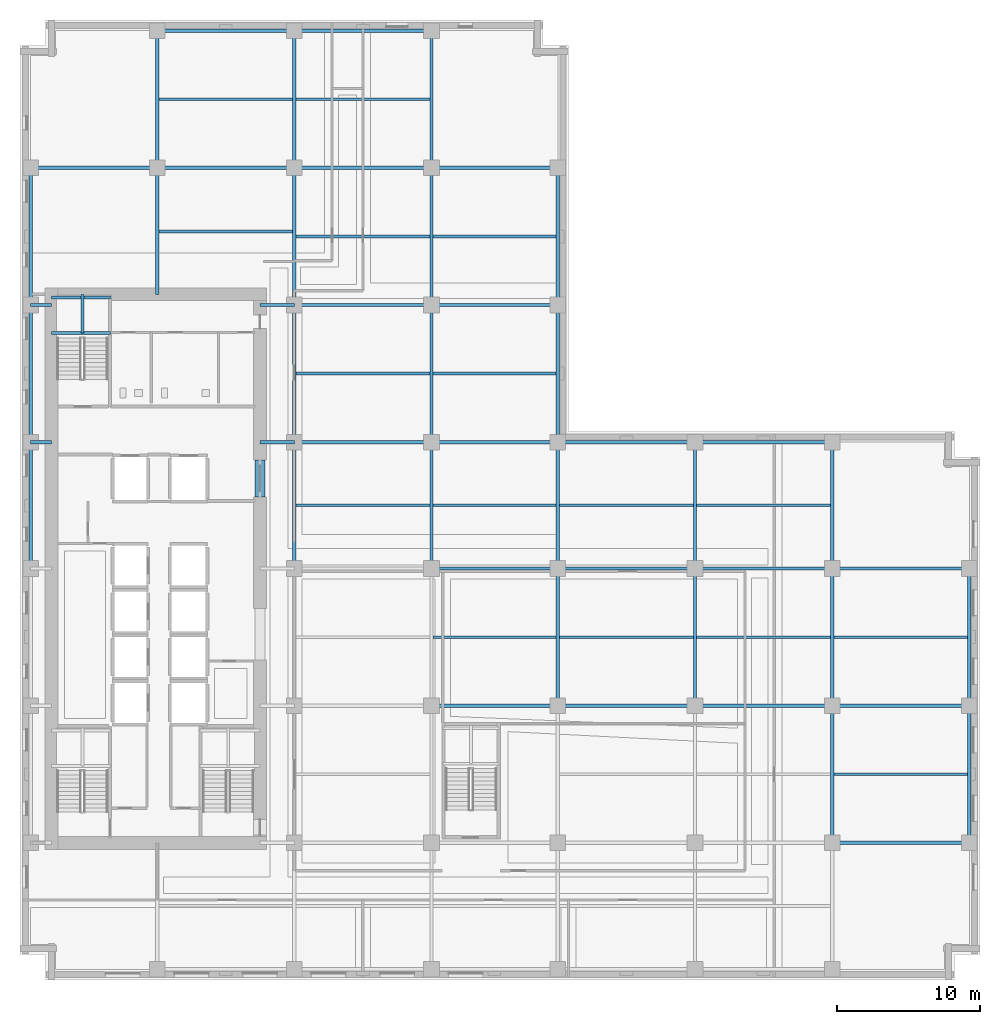
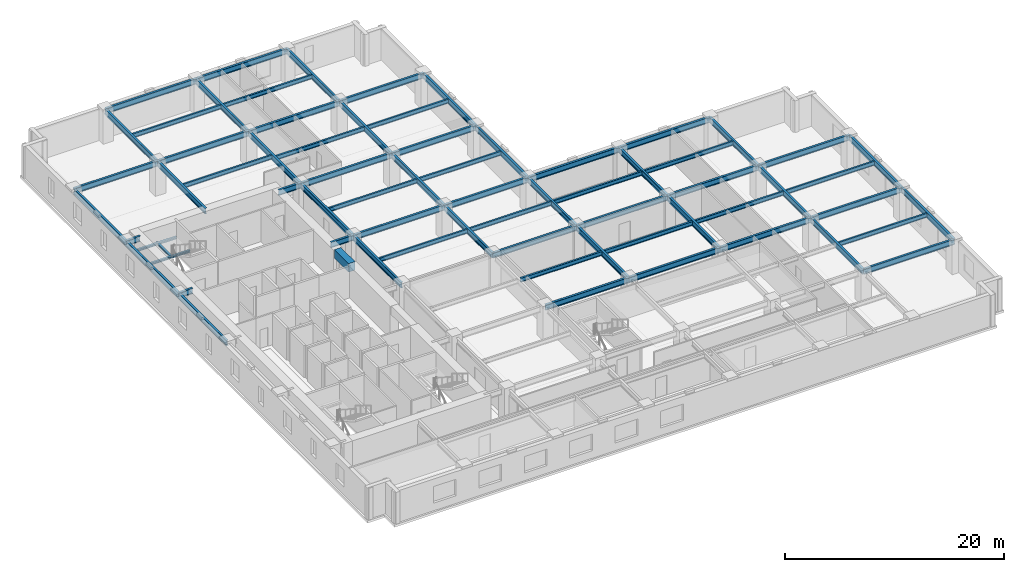
# One storey, part 2 of 13: 69 beams.
"""IFC4 building model written with IfcOpenShell, lengths in metres."""

from ifc_helpers import new_model, si_unit, direction, frame, origin, origin_2d, place, context, subcontext, project, spatial, rectangle, i_section, extrude, material, material_profile, profile_set, type_object, element, save


model = new_model("IFC4")

# Units and contexts
model_context = context("Model", 3, precision=1e-05, world=origin(), true_north=direction((0.0, 1.0)))
body_context = subcontext(model_context, "Body", "Model", "MODEL_VIEW")
ifc_project = project(units=[si_unit("LENGTHUNIT", "METRE"), si_unit("AREAUNIT", "SQUARE_METRE"), si_unit("VOLUMEUNIT", "CUBIC_METRE"), si_unit("PLANEANGLEUNIT", "RADIAN"), si_unit("MASSUNIT", "GRAM", prefix="KILO")], contexts=[model_context])

# Site, building, storey
site_placement = place(None, origin())
site = spatial("IfcSite", under=ifc_project, at=site_placement, CompositionType="ELEMENT")
building_placement = place(site_placement, origin())
building = spatial("IfcBuilding", under=site, at=building_placement, Name="Norrvale University Quadrangle", CompositionType="ELEMENT")
storey_placement = place(building_placement, frame((0.0, 0.0, 66.0)))
storey = spatial("IfcBuildingStorey", under=building, at=storey_placement, Name="L16", CompositionType="ELEMENT", Elevation=66.0)

# Beams
ifc_material_1 = material(Name="Concrete C80/95", Category="concrete")
ifc_material_profile_1 = material_profile(ifc_material_1, rectangle(XDim=0.699951171875, YDim=0.949951171875, at=origin_2d()), Name="Concrete C80/95")
ifc_profile_set_1 = profile_set([ifc_material_profile_1], Name="Concrete C80/95")
beam_type_1 = type_object("IfcBeamType", Name="Beam Core Link 700x950", PredefinedType="LINTEL", material=ifc_profile_set_1)
beam_1_placement = place(storey_placement, frame((16.800048828125, 33.800048828125, 3.06494140625), z_axis=(0.0, 1.0, 0.0), x_axis=(-1.0, 0.0, 0.0)))
element("IfcBeam", 1, at=beam_1_placement, inside=storey, type_object=beam_type_1, Name="Core Coupling Lintel Beam L16-2", PredefinedType="LINTEL", context=body_context, shape_type="SweptSolid", body=[
    extrude(rectangle(XDim=0.699951171875, YDim=0.949951171875, at=origin_2d()), origin(), (0.0, 0.0, 1.0), 2.599853515625),
])
ifc_material_2 = material(Name="Steel 350W", Category="steel")
ifc_material_profile_2 = material_profile(ifc_material_2, i_section(OverallWidth=0.18994140625, OverallDepth=0.45703125, WebThickness=0.009033203125, FlangeThickness=0.014404296875, FilletRadius=0.012939453125, at=origin_2d()), Name="Steel 350W")
ifc_profile_set_2 = profile_set([ifc_material_profile_2], Name="Steel 350W")
beam_type_2 = type_object("IfcBeamType", Name="Beam Floor W460x74", PredefinedType="JOIST", material=ifc_profile_set_2)
beam_2_placement = place(storey_placement, frame((9.715087890625, 61.64990234375, 3.3115234375), z_axis=(1.0, 0.0, 0.0), x_axis=(0.0, 1.0, 0.0)))
element("IfcBeam", 2, at=beam_2_placement, inside=storey, type_object=beam_type_2, Name="Beam Floor W460x74 BM-L16-J079", PredefinedType="JOIST", context=body_context, shape_type="SweptSolid", body=[
    extrude(i_section(OverallWidth=0.18994140625, OverallDepth=0.45703125, WebThickness=0.009033203125, FlangeThickness=0.014404296875, FilletRadius=0.012939453125, at=origin_2d()), origin(), (0.0, 0.0, 1.0), 9.369873046875),
])
for number, where, z_axis, x_axis, name in (
    (3, (19.31494140625, 33.22509765625, 3.3115234375), (1.0, 0.0, 0.0), (0.0, 1.0, 0.0), "Beam Floor W460x74 BM-L16-J083"),
    (4, (19.31494140625, 42.449951171875, 3.3115234375), (1.0, 0.0, 0.0), (0.0, 1.0, 0.0), "Beam Floor W460x74 BM-L16-J084"),
    (5, (19.31494140625, 52.050048828125, 3.3115234375), (1.0, 0.0, 0.0), (0.0, 1.0, 0.0), "Beam Floor W460x74 BM-L16-J085"),
    (6, (19.31494140625, 61.64990234375, 3.3115234375), (1.0, 0.0, 0.0), (0.0, 1.0, 0.0), "Beam Floor W460x74 BM-L16-J086"),
):
    element("IfcBeam", number, at=place(storey_placement, frame(where, z_axis=z_axis, x_axis=x_axis)), inside=storey, type_object=beam_type_2, Name=name, PredefinedType="JOIST", context=body_context, shape_type="SweptSolid", body=[
        extrude(i_section(OverallWidth=0.18994140625, OverallDepth=0.45703125, WebThickness=0.009033203125, FlangeThickness=0.014404296875, FilletRadius=0.012939453125, at=origin_2d()), origin(), (0.0, 0.0, 1.0), 9.3701171875),
    ])
for number, where, z_axis, x_axis, name in (
    (7, (28.9150390625, 24.0, 3.3115234375), (1.0, 0.0, 0.0), (0.0, 1.0, 0.0), "Beam Floor W460x74 BM-L16-J088"),
    (8, (28.9150390625, 33.22509765625, 3.3115234375), (1.0, 0.0, 0.0), (0.0, 1.0, 0.0), "Beam Floor W460x74 BM-L16-J089"),
    (9, (28.9150390625, 42.449951171875, 3.3115234375), (1.0, 0.0, 0.0), (0.0, 1.0, 0.0), "Beam Floor W460x74 BM-L16-J090"),
    (10, (28.9150390625, 52.050048828125, 3.3115234375), (1.0, 0.0, 0.0), (0.0, 1.0, 0.0), "Beam Floor W460x74 BM-L16-J091"),
):
    element("IfcBeam", number, at=place(storey_placement, frame(where, z_axis=z_axis, x_axis=x_axis)), inside=storey, type_object=beam_type_2, Name=name, PredefinedType="JOIST", context=body_context, shape_type="SweptSolid", body=[
        extrude(i_section(OverallWidth=0.18994140625, OverallDepth=0.45703125, WebThickness=0.009033203125, FlangeThickness=0.014404296875, FilletRadius=0.012939453125, at=origin_2d()), origin(), (0.0, 0.0, 1.0), 8.619873046875),
    ])
for number, where, z_axis, x_axis, name in (
    (11, (37.764892578125, 24.0, 3.3115234375), (1.0, 0.0, 0.0), (0.0, 1.0, 0.0), "Beam Floor W460x74 BM-L16-J094"),
    (12, (37.764892578125, 33.22509765625, 3.3115234375), (1.0, 0.0, 0.0), (0.0, 1.0, 0.0), "Beam Floor W460x74 BM-L16-J095"),
    (13, (47.364990234375, 24.0, 3.3115234375), (1.0, 0.0, 0.0), (0.0, 1.0, 0.0), "Beam Floor W460x74 BM-L16-J098"),
    (14, (47.364990234375, 33.22509765625, 3.3115234375), (1.0, 0.0, 0.0), (0.0, 1.0, 0.0), "Beam Floor W460x74 BM-L16-J099"),
):
    element("IfcBeam", number, at=place(storey_placement, frame(where, z_axis=z_axis, x_axis=x_axis)), inside=storey, type_object=beam_type_2, Name=name, PredefinedType="JOIST", context=body_context, shape_type="SweptSolid", body=[
        extrude(i_section(OverallWidth=0.18994140625, OverallDepth=0.45703125, WebThickness=0.009033203125, FlangeThickness=0.014404296875, FilletRadius=0.012939453125, at=origin_2d()), origin(), (0.0, 0.0, 1.0), 9.3701171875),
    ])
for number, where, z_axis, x_axis, name in (
    (15, (56.965087890625, 14.39990234375, 3.3115234375), (1.0, 0.0, 0.0), (0.0, 1.0, 0.0), "Beam Floor W460x74 BM-L16-J100"),
    (16, (56.965087890625, 24.0, 3.3115234375), (1.0, 0.0, 0.0), (0.0, 1.0, 0.0), "Beam Floor W460x74 BM-L16-J101"),
    (17, (9.715087890625, 52.39990234375, 3.3115234375), (1.0, 0.0, 0.0), (0.0, 1.0, 0.0), "Beam Floor W460x74 BM-L16-JCN105"),
):
    element("IfcBeam", number, at=place(storey_placement, frame(where, z_axis=z_axis, x_axis=x_axis)), inside=storey, type_object=beam_type_2, Name=name, PredefinedType="JOIST", context=body_context, shape_type="SweptSolid", body=[
        extrude(i_section(OverallWidth=0.18994140625, OverallDepth=0.45703125, WebThickness=0.009033203125, FlangeThickness=0.014404296875, FilletRadius=0.012939453125, at=origin_2d()), origin(), (0.0, 0.0, 1.0), 9.369873046875),
    ])
ifc_material_profile_3 = material_profile(ifc_material_2, i_section(OverallWidth=0.22998046875, OverallDepth=0.616943359375, WebThickness=0.01318359375, FlangeThickness=0.022216796875, FilletRadius=0.01611328125, at=origin_2d()), Name="Steel 350W")
ifc_profile_set_3 = profile_set([ifc_material_profile_3], Name="Steel 350W")
beam_type_3 = type_object("IfcBeamType", Name="Beam Floor W610x140", PredefinedType="BEAM", material=ifc_profile_set_3)
beam_3_placement = place(storey_placement, frame((56.85009765625, 9.60009765625, 3.2314453125), z_axis=(1.0, 0.0, 0.0), x_axis=(0.0, 1.0, 0.0)))
element("IfcBeam", 18, at=beam_3_placement, inside=storey, type_object=beam_type_3, Name="Beam Floor W610x140 BM-L16-GX010", PredefinedType="BEAM", context=body_context, shape_type="SweptSolid", body=[
    extrude(i_section(OverallWidth=0.22998046875, OverallDepth=0.616943359375, WebThickness=0.01318359375, FlangeThickness=0.022216796875, FilletRadius=0.01611328125, at=origin_2d()), origin(), (0.0, 0.0, 1.0), 9.599853515625),
])
beam_4_placement = place(storey_placement, frame((28.800048828125, 19.199951171875, 3.2314453125), z_axis=(1.0, 0.0, 0.0), x_axis=(0.0, 1.0, 0.0)))
element("IfcBeam", 19, at=beam_4_placement, inside=storey, type_object=beam_type_3, Name="Beam Floor W610x140 BM-L16-GX012", PredefinedType="BEAM", context=body_context, shape_type="SweptSolid", body=[
    extrude(i_section(OverallWidth=0.22998046875, OverallDepth=0.616943359375, WebThickness=0.01318359375, FlangeThickness=0.022216796875, FilletRadius=0.01611328125, at=origin_2d()), origin(), (0.0, 0.0, 1.0), 8.849853515625),
])
for number, where, z_axis, x_axis, name in (
    (20, (37.64990234375, 19.199951171875, 3.2314453125), (1.0, 0.0, 0.0), (0.0, 1.0, 0.0), "Beam Floor W610x140 BM-L16-GX013"),
    (21, (47.25, 19.199951171875, 3.2314453125), (1.0, 0.0, 0.0), (0.0, 1.0, 0.0), "Beam Floor W610x140 BM-L16-GX014"),
):
    element("IfcBeam", number, at=place(storey_placement, frame(where, z_axis=z_axis, x_axis=x_axis)), inside=storey, type_object=beam_type_3, Name=name, PredefinedType="BEAM", context=body_context, shape_type="SweptSolid", body=[
        extrude(i_section(OverallWidth=0.22998046875, OverallDepth=0.616943359375, WebThickness=0.01318359375, FlangeThickness=0.022216796875, FilletRadius=0.01611328125, at=origin_2d()), origin(), (0.0, 0.0, 1.0), 9.60009765625),
    ])
beam_5_placement = place(storey_placement, frame((56.85009765625, 19.199951171875, 3.2314453125), z_axis=(1.0, 0.0, 0.0), x_axis=(0.0, 1.0, 0.0)))
element("IfcBeam", 22, at=beam_5_placement, inside=storey, type_object=beam_type_3, Name="Beam Floor W610x140 BM-L16-GX015", PredefinedType="BEAM", context=body_context, shape_type="SweptSolid", body=[
    extrude(i_section(OverallWidth=0.22998046875, OverallDepth=0.616943359375, WebThickness=0.01318359375, FlangeThickness=0.022216796875, FilletRadius=0.01611328125, at=origin_2d()), origin(), (0.0, 0.0, 1.0), 9.599853515625),
])
beam_6_placement = place(storey_placement, frame((28.800048828125, 28.800048828125, 3.2314453125), z_axis=(1.0, 0.0, 0.0), x_axis=(0.0, 1.0, 0.0)))
element("IfcBeam", 23, at=beam_6_placement, inside=storey, type_object=beam_type_3, Name="Beam Floor W610x140 BM-L16-GX017", PredefinedType="BEAM", context=body_context, shape_type="SweptSolid", body=[
    extrude(i_section(OverallWidth=0.22998046875, OverallDepth=0.616943359375, WebThickness=0.01318359375, FlangeThickness=0.022216796875, FilletRadius=0.01611328125, at=origin_2d()), origin(), (0.0, 0.0, 1.0), 8.849853515625),
])
for number, where, z_axis, x_axis, name in (
    (24, (37.64990234375, 28.800048828125, 3.2314453125), (1.0, 0.0, 0.0), (0.0, 1.0, 0.0), "Beam Floor W610x140 BM-L16-GX018"),
    (25, (47.25, 28.800048828125, 3.2314453125), (1.0, 0.0, 0.0), (0.0, 1.0, 0.0), "Beam Floor W610x140 BM-L16-GX019"),
):
    element("IfcBeam", number, at=place(storey_placement, frame(where, z_axis=z_axis, x_axis=x_axis)), inside=storey, type_object=beam_type_3, Name=name, PredefinedType="BEAM", context=body_context, shape_type="SweptSolid", body=[
        extrude(i_section(OverallWidth=0.22998046875, OverallDepth=0.616943359375, WebThickness=0.01318359375, FlangeThickness=0.022216796875, FilletRadius=0.01611328125, at=origin_2d()), origin(), (0.0, 0.0, 1.0), 9.60009765625),
    ])
beam_7_placement = place(storey_placement, frame((56.85009765625, 28.800048828125, 3.2314453125), z_axis=(1.0, 0.0, 0.0), x_axis=(0.0, 1.0, 0.0)))
element("IfcBeam", 26, at=beam_7_placement, inside=storey, type_object=beam_type_3, Name="Beam Floor W610x140 BM-L16-GX020", PredefinedType="BEAM", context=body_context, shape_type="SweptSolid", body=[
    extrude(i_section(OverallWidth=0.22998046875, OverallDepth=0.616943359375, WebThickness=0.01318359375, FlangeThickness=0.022216796875, FilletRadius=0.01611328125, at=origin_2d()), origin(), (0.0, 0.0, 1.0), 9.599853515625),
])
beam_8_placement = place(storey_placement, frame((19.199951171875, 37.64990234375, 3.2314453125), z_axis=(1.0, 0.0, 0.0), x_axis=(0.0, 1.0, 0.0)))
element("IfcBeam", 27, at=beam_8_placement, inside=storey, type_object=beam_type_3, Name="Beam Floor W610x140 BM-L16-GX021", PredefinedType="BEAM", context=body_context, shape_type="SweptSolid", body=[
    extrude(i_section(OverallWidth=0.22998046875, OverallDepth=0.616943359375, WebThickness=0.01318359375, FlangeThickness=0.022216796875, FilletRadius=0.01611328125, at=origin_2d()), origin(), (0.0, 0.0, 1.0), 9.60009765625),
])
beam_9_placement = place(storey_placement, frame((28.800048828125, 37.64990234375, 3.2314453125), z_axis=(1.0, 0.0, 0.0), x_axis=(0.0, 1.0, 0.0)))
element("IfcBeam", 28, at=beam_9_placement, inside=storey, type_object=beam_type_3, Name="Beam Floor W610x140 BM-L16-GX022", PredefinedType="BEAM", context=body_context, shape_type="SweptSolid", body=[
    extrude(i_section(OverallWidth=0.22998046875, OverallDepth=0.616943359375, WebThickness=0.01318359375, FlangeThickness=0.022216796875, FilletRadius=0.01611328125, at=origin_2d()), origin(), (0.0, 0.0, 1.0), 8.849853515625),
])
for number, where, z_axis, x_axis, name in (
    (29, (37.64990234375, 37.64990234375, 3.2314453125), (1.0, 0.0, 0.0), (0.0, 1.0, 0.0), "Beam Floor W610x140 BM-L16-GX023"),
    (30, (47.25, 37.64990234375, 3.2314453125), (1.0, 0.0, 0.0), (0.0, 1.0, 0.0), "Beam Floor W610x140 BM-L16-GX024"),
    (31, (19.199951171875, 47.25, 3.2314453125), (1.0, 0.0, 0.0), (0.0, 1.0, 0.0), "Beam Floor W610x140 BM-L16-GX025"),
):
    element("IfcBeam", number, at=place(storey_placement, frame(where, z_axis=z_axis, x_axis=x_axis)), inside=storey, type_object=beam_type_3, Name=name, PredefinedType="BEAM", context=body_context, shape_type="SweptSolid", body=[
        extrude(i_section(OverallWidth=0.22998046875, OverallDepth=0.616943359375, WebThickness=0.01318359375, FlangeThickness=0.022216796875, FilletRadius=0.01611328125, at=origin_2d()), origin(), (0.0, 0.0, 1.0), 9.60009765625),
    ])
beam_10_placement = place(storey_placement, frame((28.800048828125, 47.25, 3.2314453125), z_axis=(1.0, 0.0, 0.0), x_axis=(0.0, 1.0, 0.0)))
element("IfcBeam", 32, at=beam_10_placement, inside=storey, type_object=beam_type_3, Name="Beam Floor W610x140 BM-L16-GX026", PredefinedType="BEAM", context=body_context, shape_type="SweptSolid", body=[
    extrude(i_section(OverallWidth=0.22998046875, OverallDepth=0.616943359375, WebThickness=0.01318359375, FlangeThickness=0.022216796875, FilletRadius=0.01611328125, at=origin_2d()), origin(), (0.0, 0.0, 1.0), 8.849853515625),
])
beam_11_placement = place(storey_placement, frame((0.75, 56.85009765625, 3.2314453125), z_axis=(1.0, 0.0, 0.0), x_axis=(0.0, 1.0, 0.0)))
element("IfcBeam", 33, at=beam_11_placement, inside=storey, type_object=beam_type_3, Name="Beam Floor W610x140 BM-L16-GX027", PredefinedType="BEAM", context=body_context, shape_type="SweptSolid", body=[
    extrude(i_section(OverallWidth=0.22998046875, OverallDepth=0.616943359375, WebThickness=0.01318359375, FlangeThickness=0.022216796875, FilletRadius=0.01611328125, at=origin_2d()), origin(), (0.0, 0.0, 1.0), 8.85009765625),
])
beam_12_placement = place(storey_placement, frame((9.60009765625, 56.85009765625, 3.2314453125), z_axis=(1.0, 0.0, 0.0), x_axis=(0.0, 1.0, 0.0)))
element("IfcBeam", 34, at=beam_12_placement, inside=storey, type_object=beam_type_3, Name="Beam Floor W610x140 BM-L16-GX028", PredefinedType="BEAM", context=body_context, shape_type="SweptSolid", body=[
    extrude(i_section(OverallWidth=0.22998046875, OverallDepth=0.616943359375, WebThickness=0.01318359375, FlangeThickness=0.022216796875, FilletRadius=0.01611328125, at=origin_2d()), origin(), (0.0, 0.0, 1.0), 9.599853515625),
])
beam_13_placement = place(storey_placement, frame((19.199951171875, 56.85009765625, 3.2314453125), z_axis=(1.0, 0.0, 0.0), x_axis=(0.0, 1.0, 0.0)))
element("IfcBeam", 35, at=beam_13_placement, inside=storey, type_object=beam_type_3, Name="Beam Floor W610x140 BM-L16-GX029", PredefinedType="BEAM", context=body_context, shape_type="SweptSolid", body=[
    extrude(i_section(OverallWidth=0.22998046875, OverallDepth=0.616943359375, WebThickness=0.01318359375, FlangeThickness=0.022216796875, FilletRadius=0.01611328125, at=origin_2d()), origin(), (0.0, 0.0, 1.0), 9.60009765625),
])
beam_14_placement = place(storey_placement, frame((28.800048828125, 56.85009765625, 3.2314453125), z_axis=(1.0, 0.0, 0.0), x_axis=(0.0, 1.0, 0.0)))
element("IfcBeam", 36, at=beam_14_placement, inside=storey, type_object=beam_type_3, Name="Beam Floor W610x140 BM-L16-GX030", PredefinedType="BEAM", context=body_context, shape_type="SweptSolid", body=[
    extrude(i_section(OverallWidth=0.22998046875, OverallDepth=0.616943359375, WebThickness=0.01318359375, FlangeThickness=0.022216796875, FilletRadius=0.01611328125, at=origin_2d()), origin(), (0.0, 0.0, 1.0), 8.849853515625),
])
beam_15_placement = place(storey_placement, frame((9.60009765625, 66.449951171875, 3.2314453125), z_axis=(1.0, 0.0, 0.0), x_axis=(0.0, 1.0, 0.0)))
element("IfcBeam", 37, at=beam_15_placement, inside=storey, type_object=beam_type_3, Name="Beam Floor W610x140 BM-L16-GX031", PredefinedType="BEAM", context=body_context, shape_type="SweptSolid", body=[
    extrude(i_section(OverallWidth=0.22998046875, OverallDepth=0.616943359375, WebThickness=0.01318359375, FlangeThickness=0.022216796875, FilletRadius=0.01611328125, at=origin_2d()), origin(), (0.0, 0.0, 1.0), 9.599853515625),
])
beam_16_placement = place(storey_placement, frame((19.199951171875, 66.449951171875, 3.2314453125), z_axis=(1.0, 0.0, 0.0), x_axis=(0.0, 1.0, 0.0)))
element("IfcBeam", 38, at=beam_16_placement, inside=storey, type_object=beam_type_3, Name="Beam Floor W610x140 BM-L16-GX032", PredefinedType="BEAM", context=body_context, shape_type="SweptSolid", body=[
    extrude(i_section(OverallWidth=0.22998046875, OverallDepth=0.616943359375, WebThickness=0.01318359375, FlangeThickness=0.022216796875, FilletRadius=0.01611328125, at=origin_2d()), origin(), (0.0, 0.0, 1.0), 9.60009765625),
])
beam_17_placement = place(storey_placement, frame((0.75, 28.800048828125, 3.2314453125), z_axis=(0.0, 1.0, 0.0), x_axis=(-1.0, 0.0, 0.0)))
element("IfcBeam", 39, at=beam_17_placement, inside=storey, type_object=beam_type_3, Name="Beam Floor W610x140 BM-L16-GY035", PredefinedType="BEAM", context=body_context, shape_type="SweptSolid", body=[
    extrude(i_section(OverallWidth=0.22998046875, OverallDepth=0.616943359375, WebThickness=0.01318359375, FlangeThickness=0.022216796875, FilletRadius=0.01611328125, at=origin_2d()), origin(), (0.0, 0.0, 1.0), 8.849853515625),
])
for number, where, z_axis, x_axis, name in (
    (40, (0.75, 37.64990234375, 3.2314453125), (0.0, 1.0, 0.0), (-1.0, 0.0, 0.0), "Beam Floor W610x140 BM-L16-GY036"),
    (41, (0.75, 47.25, 3.2314453125), (0.0, 1.0, 0.0), (-1.0, 0.0, 0.0), "Beam Floor W610x140 BM-L16-GY037"),
):
    element("IfcBeam", number, at=place(storey_placement, frame(where, z_axis=z_axis, x_axis=x_axis)), inside=storey, type_object=beam_type_3, Name=name, PredefinedType="BEAM", context=body_context, shape_type="SweptSolid", body=[
        extrude(i_section(OverallWidth=0.22998046875, OverallDepth=0.616943359375, WebThickness=0.01318359375, FlangeThickness=0.022216796875, FilletRadius=0.01611328125, at=origin_2d()), origin(), (0.0, 0.0, 1.0), 9.60009765625),
    ])
beam_18_placement = place(storey_placement, frame((9.60009765625, 56.85009765625, 3.2314453125), z_axis=(0.0, 1.0, 0.0), x_axis=(-1.0, 0.0, 0.0)))
element("IfcBeam", 42, at=beam_18_placement, inside=storey, type_object=beam_type_3, Name="Beam Floor W610x140 BM-L16-GY038", PredefinedType="BEAM", context=body_context, shape_type="SweptSolid", body=[
    extrude(i_section(OverallWidth=0.22998046875, OverallDepth=0.616943359375, WebThickness=0.01318359375, FlangeThickness=0.022216796875, FilletRadius=0.01611328125, at=origin_2d()), origin(), (0.0, 0.0, 1.0), 9.599853515625),
])
beam_19_placement = place(storey_placement, frame((19.199951171875, 28.800048828125, 3.2314453125), z_axis=(0.0, 1.0, 0.0), x_axis=(-1.0, 0.0, 0.0)))
element("IfcBeam", 43, at=beam_19_placement, inside=storey, type_object=beam_type_3, Name="Beam Floor W610x140 BM-L16-GY042", PredefinedType="BEAM", context=body_context, shape_type="SweptSolid", body=[
    extrude(i_section(OverallWidth=0.22998046875, OverallDepth=0.616943359375, WebThickness=0.01318359375, FlangeThickness=0.022216796875, FilletRadius=0.01611328125, at=origin_2d()), origin(), (0.0, 0.0, 1.0), 8.849853515625),
])
for number, where, z_axis, x_axis, name in (
    (44, (19.199951171875, 37.64990234375, 3.2314453125), (0.0, 1.0, 0.0), (-1.0, 0.0, 0.0), "Beam Floor W610x140 BM-L16-GY043"),
    (45, (19.199951171875, 47.25, 3.2314453125), (0.0, 1.0, 0.0), (-1.0, 0.0, 0.0), "Beam Floor W610x140 BM-L16-GY044"),
):
    element("IfcBeam", number, at=place(storey_placement, frame(where, z_axis=z_axis, x_axis=x_axis)), inside=storey, type_object=beam_type_3, Name=name, PredefinedType="BEAM", context=body_context, shape_type="SweptSolid", body=[
        extrude(i_section(OverallWidth=0.22998046875, OverallDepth=0.616943359375, WebThickness=0.01318359375, FlangeThickness=0.022216796875, FilletRadius=0.01611328125, at=origin_2d()), origin(), (0.0, 0.0, 1.0), 9.60009765625),
    ])
beam_20_placement = place(storey_placement, frame((19.199951171875, 56.85009765625, 3.2314453125), z_axis=(0.0, 1.0, 0.0), x_axis=(-1.0, 0.0, 0.0)))
element("IfcBeam", 46, at=beam_20_placement, inside=storey, type_object=beam_type_3, Name="Beam Floor W610x140 BM-L16-GY045", PredefinedType="BEAM", context=body_context, shape_type="SweptSolid", body=[
    extrude(i_section(OverallWidth=0.22998046875, OverallDepth=0.616943359375, WebThickness=0.01318359375, FlangeThickness=0.022216796875, FilletRadius=0.01611328125, at=origin_2d()), origin(), (0.0, 0.0, 1.0), 9.599853515625),
])
beam_21_placement = place(storey_placement, frame((28.800048828125, 28.800048828125, 3.2314453125), z_axis=(0.0, 1.0, 0.0), x_axis=(-1.0, 0.0, 0.0)))
element("IfcBeam", 47, at=beam_21_placement, inside=storey, type_object=beam_type_3, Name="Beam Floor W610x140 BM-L16-GY049", PredefinedType="BEAM", context=body_context, shape_type="SweptSolid", body=[
    extrude(i_section(OverallWidth=0.22998046875, OverallDepth=0.616943359375, WebThickness=0.01318359375, FlangeThickness=0.022216796875, FilletRadius=0.01611328125, at=origin_2d()), origin(), (0.0, 0.0, 1.0), 8.849853515625),
])
for number, where, z_axis, x_axis, name in (
    (48, (28.800048828125, 37.64990234375, 3.2314453125), (0.0, 1.0, 0.0), (-1.0, 0.0, 0.0), "Beam Floor W610x140 BM-L16-GY050"),
    (49, (28.800048828125, 47.25, 3.2314453125), (0.0, 1.0, 0.0), (-1.0, 0.0, 0.0), "Beam Floor W610x140 BM-L16-GY051"),
):
    element("IfcBeam", number, at=place(storey_placement, frame(where, z_axis=z_axis, x_axis=x_axis)), inside=storey, type_object=beam_type_3, Name=name, PredefinedType="BEAM", context=body_context, shape_type="SweptSolid", body=[
        extrude(i_section(OverallWidth=0.22998046875, OverallDepth=0.616943359375, WebThickness=0.01318359375, FlangeThickness=0.022216796875, FilletRadius=0.01611328125, at=origin_2d()), origin(), (0.0, 0.0, 1.0), 9.60009765625),
    ])
beam_22_placement = place(storey_placement, frame((28.800048828125, 56.85009765625, 3.2314453125), z_axis=(0.0, 1.0, 0.0), x_axis=(-1.0, 0.0, 0.0)))
element("IfcBeam", 50, at=beam_22_placement, inside=storey, type_object=beam_type_3, Name="Beam Floor W610x140 BM-L16-GY052", PredefinedType="BEAM", context=body_context, shape_type="SweptSolid", body=[
    extrude(i_section(OverallWidth=0.22998046875, OverallDepth=0.616943359375, WebThickness=0.01318359375, FlangeThickness=0.022216796875, FilletRadius=0.01611328125, at=origin_2d()), origin(), (0.0, 0.0, 1.0), 9.599853515625),
])
beam_23_placement = place(storey_placement, frame((37.64990234375, 19.199951171875, 3.2314453125), z_axis=(0.0, 1.0, 0.0), x_axis=(-1.0, 0.0, 0.0)))
element("IfcBeam", 51, at=beam_23_placement, inside=storey, type_object=beam_type_3, Name="Beam Floor W610x140 BM-L16-GY055", PredefinedType="BEAM", context=body_context, shape_type="SweptSolid", body=[
    extrude(i_section(OverallWidth=0.22998046875, OverallDepth=0.616943359375, WebThickness=0.01318359375, FlangeThickness=0.022216796875, FilletRadius=0.01611328125, at=origin_2d()), origin(), (0.0, 0.0, 1.0), 9.60009765625),
])
beam_24_placement = place(storey_placement, frame((37.64990234375, 28.800048828125, 3.2314453125), z_axis=(0.0, 1.0, 0.0), x_axis=(-1.0, 0.0, 0.0)))
element("IfcBeam", 52, at=beam_24_placement, inside=storey, type_object=beam_type_3, Name="Beam Floor W610x140 BM-L16-GY056", PredefinedType="BEAM", context=body_context, shape_type="SweptSolid", body=[
    extrude(i_section(OverallWidth=0.22998046875, OverallDepth=0.616943359375, WebThickness=0.01318359375, FlangeThickness=0.022216796875, FilletRadius=0.01611328125, at=origin_2d()), origin(), (0.0, 0.0, 1.0), 8.849853515625),
])
for number, where, z_axis, x_axis, name in (
    (53, (37.64990234375, 37.64990234375, 3.2314453125), (0.0, 1.0, 0.0), (-1.0, 0.0, 0.0), "Beam Floor W610x140 BM-L16-GY057"),
    (54, (37.64990234375, 47.25, 3.2314453125), (0.0, 1.0, 0.0), (-1.0, 0.0, 0.0), "Beam Floor W610x140 BM-L16-GY058"),
    (55, (47.25, 19.199951171875, 3.2314453125), (0.0, 1.0, 0.0), (-1.0, 0.0, 0.0), "Beam Floor W610x140 BM-L16-GY061"),
):
    element("IfcBeam", number, at=place(storey_placement, frame(where, z_axis=z_axis, x_axis=x_axis)), inside=storey, type_object=beam_type_3, Name=name, PredefinedType="BEAM", context=body_context, shape_type="SweptSolid", body=[
        extrude(i_section(OverallWidth=0.22998046875, OverallDepth=0.616943359375, WebThickness=0.01318359375, FlangeThickness=0.022216796875, FilletRadius=0.01611328125, at=origin_2d()), origin(), (0.0, 0.0, 1.0), 9.60009765625),
    ])
beam_25_placement = place(storey_placement, frame((47.25, 28.800048828125, 3.2314453125), z_axis=(0.0, 1.0, 0.0), x_axis=(-1.0, 0.0, 0.0)))
element("IfcBeam", 56, at=beam_25_placement, inside=storey, type_object=beam_type_3, Name="Beam Floor W610x140 BM-L16-GY062", PredefinedType="BEAM", context=body_context, shape_type="SweptSolid", body=[
    extrude(i_section(OverallWidth=0.22998046875, OverallDepth=0.616943359375, WebThickness=0.01318359375, FlangeThickness=0.022216796875, FilletRadius=0.01611328125, at=origin_2d()), origin(), (0.0, 0.0, 1.0), 8.849853515625),
])
beam_26_placement = place(storey_placement, frame((56.85009765625, 9.60009765625, 3.2314453125), z_axis=(0.0, 1.0, 0.0), x_axis=(-1.0, 0.0, 0.0)))
element("IfcBeam", 57, at=beam_26_placement, inside=storey, type_object=beam_type_3, Name="Beam Floor W610x140 BM-L16-GY064", PredefinedType="BEAM", context=body_context, shape_type="SweptSolid", body=[
    extrude(i_section(OverallWidth=0.22998046875, OverallDepth=0.616943359375, WebThickness=0.01318359375, FlangeThickness=0.022216796875, FilletRadius=0.01611328125, at=origin_2d()), origin(), (0.0, 0.0, 1.0), 9.599853515625),
])
beam_27_placement = place(storey_placement, frame((56.85009765625, 19.199951171875, 3.2314453125), z_axis=(0.0, 1.0, 0.0), x_axis=(-1.0, 0.0, 0.0)))
element("IfcBeam", 58, at=beam_27_placement, inside=storey, type_object=beam_type_3, Name="Beam Floor W610x140 BM-L16-GY065", PredefinedType="BEAM", context=body_context, shape_type="SweptSolid", body=[
    extrude(i_section(OverallWidth=0.22998046875, OverallDepth=0.616943359375, WebThickness=0.01318359375, FlangeThickness=0.022216796875, FilletRadius=0.01611328125, at=origin_2d()), origin(), (0.0, 0.0, 1.0), 9.60009765625),
])
beam_28_placement = place(storey_placement, frame((56.85009765625, 28.800048828125, 3.2314453125), z_axis=(0.0, 1.0, 0.0), x_axis=(-1.0, 0.0, 0.0)))
element("IfcBeam", 59, at=beam_28_placement, inside=storey, type_object=beam_type_3, Name="Beam Floor W610x140 BM-L16-GY066", PredefinedType="BEAM", context=body_context, shape_type="SweptSolid", body=[
    extrude(i_section(OverallWidth=0.22998046875, OverallDepth=0.616943359375, WebThickness=0.01318359375, FlangeThickness=0.022216796875, FilletRadius=0.01611328125, at=origin_2d()), origin(), (0.0, 0.0, 1.0), 8.849853515625),
])
beam_29_placement = place(storey_placement, frame((66.449951171875, 9.60009765625, 3.2314453125), z_axis=(0.0, 1.0, 0.0), x_axis=(-1.0, 0.0, 0.0)))
element("IfcBeam", 60, at=beam_29_placement, inside=storey, type_object=beam_type_3, Name="Beam Floor W610x140 BM-L16-GY067", PredefinedType="BEAM", context=body_context, shape_type="SweptSolid", body=[
    extrude(i_section(OverallWidth=0.22998046875, OverallDepth=0.616943359375, WebThickness=0.01318359375, FlangeThickness=0.022216796875, FilletRadius=0.01611328125, at=origin_2d()), origin(), (0.0, 0.0, 1.0), 9.599853515625),
])
beam_30_placement = place(storey_placement, frame((66.449951171875, 19.199951171875, 3.2314453125), z_axis=(0.0, 1.0, 0.0), x_axis=(-1.0, 0.0, 0.0)))
element("IfcBeam", 61, at=beam_30_placement, inside=storey, type_object=beam_type_3, Name="Beam Floor W610x140 BM-L16-GY068", PredefinedType="BEAM", context=body_context, shape_type="SweptSolid", body=[
    extrude(i_section(OverallWidth=0.22998046875, OverallDepth=0.616943359375, WebThickness=0.01318359375, FlangeThickness=0.022216796875, FilletRadius=0.01611328125, at=origin_2d()), origin(), (0.0, 0.0, 1.0), 9.60009765625),
])
beam_31_placement = place(storey_placement, frame((0.75, 37.64990234375, 3.2314453125), z_axis=(1.0, 0.0, 0.0), x_axis=(0.0, 1.0, 0.0)))
element("IfcBeam", 62, at=beam_31_placement, inside=storey, type_object=beam_type_3, Name="Beam Floor W610x140 BM-L16-GCW075", PredefinedType="BEAM", context=body_context, shape_type="SweptSolid", body=[
    extrude(i_section(OverallWidth=0.22998046875, OverallDepth=0.616943359375, WebThickness=0.01318359375, FlangeThickness=0.022216796875, FilletRadius=0.01611328125, at=origin_2d()), origin(), (0.0, 0.0, 1.0), 1.449951171875),
])
beam_32_placement = place(storey_placement, frame((16.800048828125, 37.64990234375, 3.2314453125), z_axis=(1.0, 0.0, 0.0), x_axis=(0.0, 1.0, 0.0)))
element("IfcBeam", 63, at=beam_32_placement, inside=storey, type_object=beam_type_3, Name="Beam Floor W610x140 BM-L16-GCE076", PredefinedType="BEAM", context=body_context, shape_type="SweptSolid", body=[
    extrude(i_section(OverallWidth=0.22998046875, OverallDepth=0.616943359375, WebThickness=0.01318359375, FlangeThickness=0.022216796875, FilletRadius=0.01611328125, at=origin_2d()), origin(), (0.0, 0.0, 1.0), 2.39990234375),
])
beam_33_placement = place(storey_placement, frame((0.75, 47.25, 3.2314453125), z_axis=(1.0, 0.0, 0.0), x_axis=(0.0, 1.0, 0.0)))
element("IfcBeam", 64, at=beam_33_placement, inside=storey, type_object=beam_type_3, Name="Beam Floor W610x140 BM-L16-GCW077", PredefinedType="BEAM", context=body_context, shape_type="SweptSolid", body=[
    extrude(i_section(OverallWidth=0.22998046875, OverallDepth=0.616943359375, WebThickness=0.01318359375, FlangeThickness=0.022216796875, FilletRadius=0.01611328125, at=origin_2d()), origin(), (0.0, 0.0, 1.0), 1.449951171875),
])
beam_34_placement = place(storey_placement, frame((16.800048828125, 47.25, 3.2314453125), z_axis=(1.0, 0.0, 0.0), x_axis=(0.0, 1.0, 0.0)))
element("IfcBeam", 65, at=beam_34_placement, inside=storey, type_object=beam_type_3, Name="Beam Floor W610x140 BM-L16-GCE078", PredefinedType="BEAM", context=body_context, shape_type="SweptSolid", body=[
    extrude(i_section(OverallWidth=0.22998046875, OverallDepth=0.616943359375, WebThickness=0.01318359375, FlangeThickness=0.022216796875, FilletRadius=0.01611328125, at=origin_2d()), origin(), (0.0, 0.0, 1.0), 2.39990234375),
])
beam_35_placement = place(storey_placement, frame((9.60009765625, 48.0, 3.2314453125), z_axis=(0.0, 1.0, 0.0), x_axis=(-1.0, 0.0, 0.0)))
element("IfcBeam", 66, at=beam_35_placement, inside=storey, type_object=beam_type_3, Name="Beam Floor W610x140 BM-L16-GCN104", PredefinedType="BEAM", context=body_context, shape_type="SweptSolid", body=[
    extrude(i_section(OverallWidth=0.22998046875, OverallDepth=0.616943359375, WebThickness=0.01318359375, FlangeThickness=0.022216796875, FilletRadius=0.01611328125, at=origin_2d()), origin(), (0.0, 0.0, 1.0), 8.85009765625),
])
ifc_material_profile_4 = material_profile(ifc_material_2, i_section(OverallWidth=0.201904296875, OverallDepth=0.2470703125, WebThickness=0.00732421875, FlangeThickness=0.010986328125, FilletRadius=0.011962890625, at=origin_2d()), Name="Steel 350W")
ifc_profile_set_4 = profile_set([ifc_material_profile_4], Name="Steel 350W")
beam_type_4 = type_object("IfcBeamType", Name="Beam Stair W250x49", PredefinedType="BEAM", material=ifc_profile_set_4)
for number, where, z_axis, x_axis, name in (
    (67, (2.199951171875, 45.2900390625, 1.576416015625), (1.0, 0.0, 0.0), (0.0, 1.0, 0.0), "Stair Mid-Landing Front Beam ST-02 L16"),
    (68, (2.199951171875, 47.77001953125, 1.576416015625), (1.0, 0.0, 0.0), (0.0, 1.0, 0.0), "Stair Mid-Landing Rear Beam ST-02 L16"),
):
    element("IfcBeam", number, at=place(storey_placement, frame(where, z_axis=z_axis, x_axis=x_axis)), inside=storey, type_object=beam_type_4, Name=name, PredefinedType="BEAM", context=body_context, shape_type="SweptSolid", body=[
        extrude(i_section(OverallWidth=0.201904296875, OverallDepth=0.2470703125, WebThickness=0.00732421875, FlangeThickness=0.010986328125, FilletRadius=0.011962890625, at=origin_2d()), origin(), (0.0, 0.0, 1.0), 4.14013671875),
    ])
ifc_material_profile_5 = material_profile(ifc_material_2, i_section(OverallWidth=0.202880859375, OverallDepth=0.202880859375, WebThickness=0.007080078125, FlangeThickness=0.010986328125, FilletRadius=0.010009765625, at=origin_2d()), Name="Steel 350W")
ifc_profile_set_5 = profile_set([ifc_material_profile_5], Name="Steel 350W")
beam_type_5 = type_object("IfcBeamType", Name="Beam Trim W200x46", PredefinedType="BEAM", material=ifc_profile_set_5)
beam_36_placement = place(storey_placement, frame((4.375, 45.2900390625, 1.598388671875), z_axis=(0.0, 1.0, 0.0), x_axis=(-1.0, 0.0, 0.0)))
element("IfcBeam", 69, at=beam_36_placement, inside=storey, type_object=beam_type_5, Name="Stair Mid-Landing Cross Beam ST-02 L16", PredefinedType="BEAM", context=body_context, shape_type="SweptSolid", body=[
    extrude(i_section(OverallWidth=0.202880859375, OverallDepth=0.202880859375, WebThickness=0.007080078125, FlangeThickness=0.010986328125, FilletRadius=0.010009765625, at=origin_2d()), origin(), (0.0, 0.0, 1.0), 2.7099609375),
])

save(model, "model.ifc")
